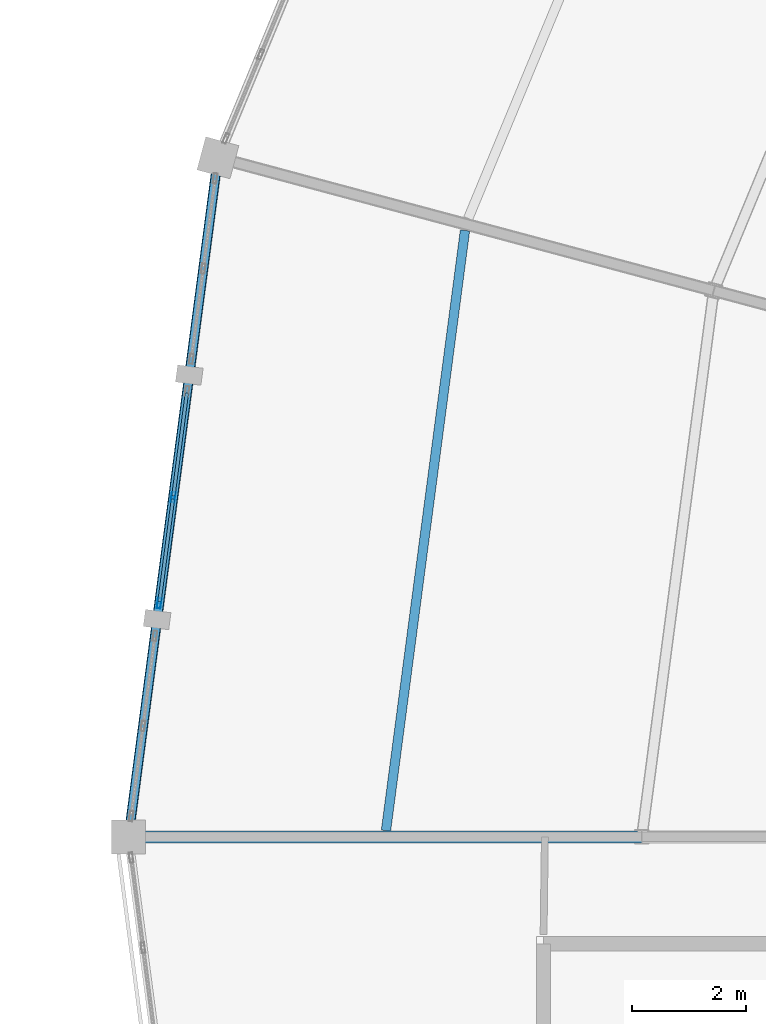
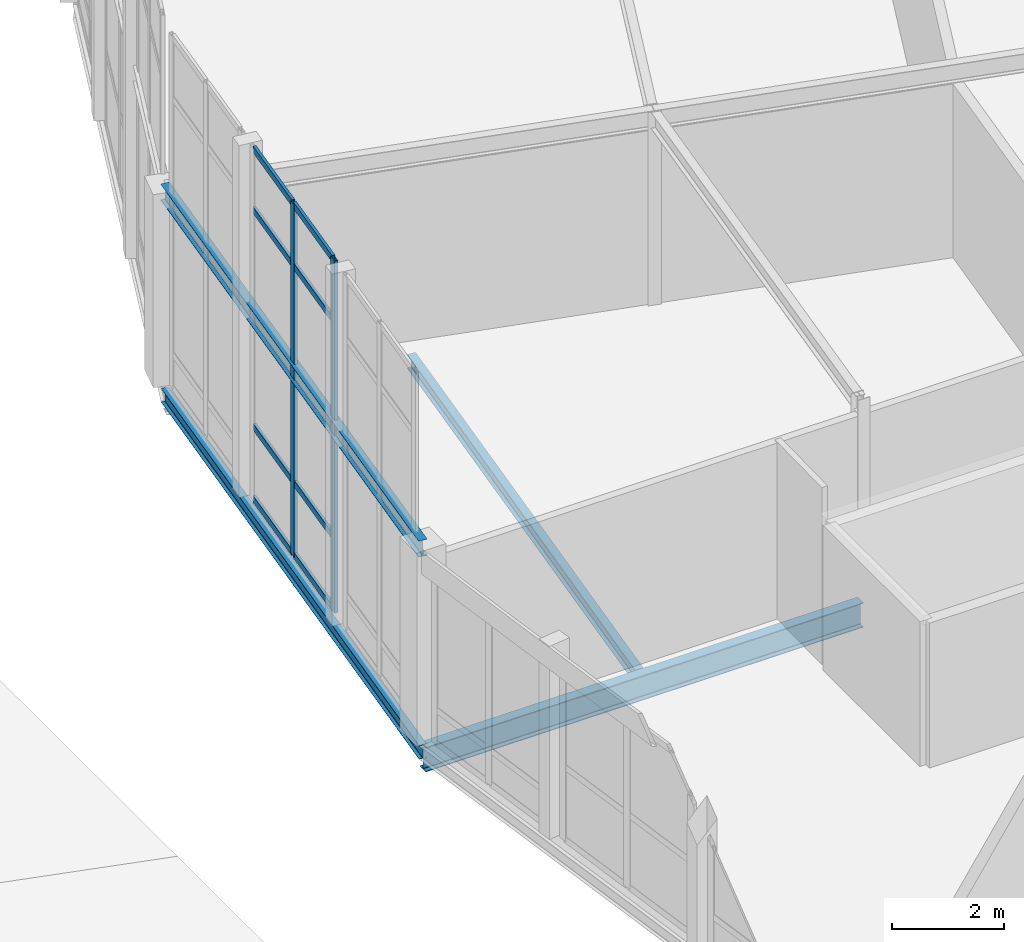
# One storey, part 58 of 200: 10 members, 4 beams, 1 element without a shape of its own.
"""IFC4 building model written with IfcOpenShell, lengths in metres."""

from ifc_helpers import new_model, si_unit, direction, frame, origin, origin_2d, place, context, subcontext, project, spatial, hollow_rectangle, i_section, extrude, material, material_profile, profile_set, type_object, element, aggregate, save


model = new_model("IFC4")

# Units and contexts
model_context = context("Model", 3, precision=1e-05, world=origin(), true_north=direction((0.0, 1.0)))
body_context = subcontext(model_context, "Body", "Model", "MODEL_VIEW")
ifc_project = project(units=[si_unit("LENGTHUNIT", "METRE"), si_unit("AREAUNIT", "SQUARE_METRE"), si_unit("VOLUMEUNIT", "CUBIC_METRE"), si_unit("PLANEANGLEUNIT", "RADIAN"), si_unit("MASSUNIT", "GRAM", prefix="KILO")], contexts=[model_context])

# Site, building, storey
site_placement = place(None, origin())
site = spatial("IfcSite", under=ifc_project, at=site_placement, CompositionType="ELEMENT")
building_placement = place(site_placement, origin())
building = spatial("IfcBuilding", under=site, at=building_placement, Name="Vondelvale Polytechnic", CompositionType="ELEMENT")
storey_placement = place(building_placement, frame((0.0, 0.0, 13.800048828125)))
storey = spatial("IfcBuildingStorey", under=building, at=storey_placement, Name="L03", CompositionType="ELEMENT", Elevation=13.800048828125)

# Beams
ifc_material_1 = material(Name="Steel 300PLUS (fy = 300 MPa)", Category="steel")
ifc_material_profile_1 = material_profile(ifc_material_1, i_section(OverallWidth=0.14892578125, OverallDepth=0.298095703125, WebThickness=0.005615234375, FlangeThickness=0.008056640625, FilletRadius=0.011474609375, at=origin_2d()), Name="310UB32.0")
ifc_profile_set_1 = profile_set([ifc_material_profile_1], Name="Steel 300PLUS (fy = 300 MPa)")
beam_type_1 = type_object("IfcBeamType", Name="BM-UB310L", PredefinedType="BEAM", material=ifc_profile_set_1)
beam_1_placement = place(storey_placement, frame((57.5673828125, 83.90576171875, -0.399169921875), z_axis=(-0.130522880875, -0.991445297315, 0.0), x_axis=(0.991445297315, -0.130522880875, 0.0)))
element("IfcBeam", 1, at=beam_1_placement, inside=storey, type_object=beam_type_1, Name="L03 RB B-25", PredefinedType="BEAM", context=body_context, shape_type="SweptSolid", body=[
    extrude(i_section(OverallWidth=0.14892578125, OverallDepth=0.298095703125, WebThickness=0.005615234375, FlangeThickness=0.008056640625, FilletRadius=0.011474609375, at=origin_2d()), origin(), (0.0, 0.0, 1.0), 12.008544921875),
])
ifc_material_profile_2 = material_profile(ifc_material_1, i_section(OverallWidth=0.1708984375, OverallDepth=0.35205078125, WebThickness=0.0068359375, FlangeThickness=0.009765625, FilletRadius=0.011474609375, at=origin_2d()), Name="360UB44.7")
ifc_profile_set_2 = profile_set([ifc_material_profile_2], Name="Steel 300PLUS (fy = 300 MPa)")
beam_type_2 = type_object("IfcBeamType", Name="BM-UB360L", PredefinedType="BEAM", material=ifc_profile_set_2)
beam_2_placement = place(storey_placement, frame((57.5673828125, 83.90576171875, 4.02392578125), z_axis=(-0.130522880875, -0.991445297315, 0.0), x_axis=(0.991445297315, -0.130522880875, 0.0)))
element("IfcBeam", 2, at=beam_2_placement, inside=storey, type_object=beam_type_2, Name="L03 RE B-24", PredefinedType="BEAM", context=body_context, shape_type="SweptSolid", body=[
    extrude(i_section(OverallWidth=0.1708984375, OverallDepth=0.35205078125, WebThickness=0.0068359375, FlangeThickness=0.009765625, FilletRadius=0.011474609375, at=origin_2d()), origin(), (0.0, 0.0, 1.0), 12.008544921875),
])
ifc_material_profile_3 = material_profile(ifc_material_1, i_section(OverallWidth=0.208984375, OverallDepth=0.532958984375, WebThickness=0.01025390625, FlangeThickness=0.015625, FilletRadius=0.013916015625, at=origin_2d()), Name="530UB92.4")
ifc_profile_set_3 = profile_set([ifc_material_profile_3], Name="Steel 300PLUS (fy = 300 MPa)")
beam_type_3 = type_object("IfcBeamType", Name="BM-UB530", PredefinedType="BEAM", material=ifc_profile_set_3)
beam_3_placement = place(storey_placement, frame((65.0, 72.0, -0.5166015625), z_axis=(-1.0, 0.0, 0.0), x_axis=(0.0, -1.0, 0.0)))
element("IfcBeam", 3, at=beam_3_placement, inside=storey, type_object=beam_type_3, Name="L03 RG B-11", PredefinedType="BEAM", context=body_context, shape_type="SweptSolid", body=[
    extrude(i_section(OverallWidth=0.208984375, OverallDepth=0.532958984375, WebThickness=0.01025390625, FlangeThickness=0.015625, FilletRadius=0.013916015625, at=origin_2d()), origin(), (0.0, 0.0, 1.0), 9.0),
])

# Curtain wall, members
ifc_material_2 = material(Name="Glulam GL18 structural Tasmanian oak (fb = 42 MPa)", Category="wood")
curtain_wall_type = type_object("IfcCurtainWallType", Name="CW-RING-OUTER", PredefinedType="NOTDEFINED", material=ifc_material_2)
curtain_wall_placement = place(storey_placement, origin())
curtain_wall = element("IfcCurtainWall", 4, at=curtain_wall_placement, inside=storey, type_object=curtain_wall_type, Name="L03 architectural curtain wall CW-04-254", PredefinedType="NOTDEFINED")
ifc_material_3 = material(Name="Anodised extruded aluminium 6063-T6", Category="aluminium")
ifc_material_profile_4 = material_profile(ifc_material_3, hollow_rectangle(XDim=0.06494140625, YDim=0.179931640625, WallThickness=0.00390625, at=origin_2d()), Name="CW-MUL-180x65")
ifc_profile_set_4 = profile_set([ifc_material_profile_4], Name="Anodised extruded aluminium 6063-T6")
member_type_1 = type_object("IfcMemberType", Name="CW-MUL-65x180", PredefinedType="MULLION", material=ifc_profile_set_4)
member_1_placement = place(storey_placement, frame((56.78369140625, 77.952880859375, 0.0), z_axis=(0.0, 0.0, 1.0), x_axis=(0.991448671082, -0.130497251349, 0.0)))
member_1 = element("IfcMember", 5, at=member_1_placement, type_object=member_type_1, Name="CW-04-254 mullion 2", PredefinedType="MULLION", context=body_context, shape_type="SweptSolid", body=[
    extrude(hollow_rectangle(XDim=0.06494140625, YDim=0.179931640625, WallThickness=0.00390625, at=origin_2d()), origin(), (0.0, 0.0, 1.0), 7.661376953125),
])
member_2_placement = place(storey_placement, frame((56.5390625, 76.0947265625, 0.0), z_axis=(0.0, 0.0, 1.0), x_axis=(0.991448671082, -0.130497251349, 0.0)))
member_2 = element("IfcMember", 6, at=member_2_placement, type_object=member_type_1, Name="CW-04-254 mullion 3", PredefinedType="MULLION", context=body_context, shape_type="SweptSolid", body=[
    extrude(hollow_rectangle(XDim=0.06494140625, YDim=0.179931640625, WallThickness=0.00390625, at=origin_2d()), origin(), (0.0, 0.0, 1.0), 7.661376953125),
])
ifc_material_profile_5 = material_profile(ifc_material_3, hollow_rectangle(XDim=0.06005859375, YDim=0.139892578125, WallThickness=0.00341796875, at=origin_2d()), Name="CW-TRN-140x60")
ifc_profile_set_5 = profile_set([ifc_material_profile_5], Name="Anodised extruded aluminium 6063-T6")
member_type_2 = type_object("IfcMemberType", Name="CW-TRN-60x140", PredefinedType="USERDEFINED", material=ifc_profile_set_5)
member_3_placement = place(storey_placement, frame((57.02392578125, 79.778564453125, 0.030029296875), z_axis=(-0.130510372288, -0.991446943979, 0.0), x_axis=(0.991446943979, -0.130510372288, 0.0)))
member_3 = element("IfcMember", 7, at=member_3_placement, type_object=member_type_2, Name="CW-04-254 transom 1.1", ObjectType="TRANSOM", PredefinedType="USERDEFINED", context=body_context, shape_type="SweptSolid", body=[
    extrude(hollow_rectangle(XDim=0.06005859375, YDim=0.139892578125, WallThickness=0.00341796875, at=origin_2d()), origin(), (0.0, 0.0, 1.0), 1.808837890625),
])
member_4_placement = place(storey_placement, frame((57.02392578125, 79.778564453125, 1.599853515625), z_axis=(-0.130510372288, -0.991446943979, 0.0), x_axis=(0.991446943979, -0.130510372288, 0.0)))
member_4 = element("IfcMember", 8, at=member_4_placement, type_object=member_type_2, Name="CW-04-254 transom 1.2", ObjectType="TRANSOM", PredefinedType="USERDEFINED", context=body_context, shape_type="SweptSolid", body=[
    extrude(hollow_rectangle(XDim=0.06005859375, YDim=0.139892578125, WallThickness=0.00341796875, at=origin_2d()), origin(), (0.0, 0.0, 1.0), 1.808837890625),
])
member_5_placement = place(storey_placement, frame((57.02392578125, 79.778564453125, 6.311279296875), z_axis=(-0.130510372288, -0.991446943979, 0.0), x_axis=(0.991446943979, -0.130510372288, 0.0)))
member_5 = element("IfcMember", 9, at=member_5_placement, type_object=member_type_2, Name="CW-04-254 transom 1.3", ObjectType="TRANSOM", PredefinedType="USERDEFINED", context=body_context, shape_type="SweptSolid", body=[
    extrude(hollow_rectangle(XDim=0.06005859375, YDim=0.139892578125, WallThickness=0.00341796875, at=origin_2d()), origin(), (0.0, 0.0, 1.0), 1.808837890625),
])
member_6_placement = place(storey_placement, frame((57.02392578125, 79.778564453125, 7.63134765625), z_axis=(-0.130510372288, -0.991446943979, 0.0), x_axis=(0.991446943979, -0.130510372288, 0.0)))
member_6 = element("IfcMember", 10, at=member_6_placement, type_object=member_type_2, Name="CW-04-254 transom 1.4", ObjectType="TRANSOM", PredefinedType="USERDEFINED", context=body_context, shape_type="SweptSolid", body=[
    extrude(hollow_rectangle(XDim=0.06005859375, YDim=0.139892578125, WallThickness=0.00341796875, at=origin_2d()), origin(), (0.0, 0.0, 1.0), 1.808837890625),
])
member_7_placement = place(storey_placement, frame((56.779541015625, 77.920654296875, 0.030029296875), z_axis=(-0.130492911033, -0.991449242357, 0.0), x_axis=(0.991449242357, -0.130492911033, 0.0)))
member_7 = element("IfcMember", 11, at=member_7_placement, type_object=member_type_2, Name="CW-04-254 transom 2.1", ObjectType="TRANSOM", PredefinedType="USERDEFINED", context=body_context, shape_type="SweptSolid", body=[
    extrude(hollow_rectangle(XDim=0.06005859375, YDim=0.139892578125, WallThickness=0.00341796875, at=origin_2d()), origin(), (0.0, 0.0, 1.0), 1.80908203125),
])
member_8_placement = place(storey_placement, frame((56.779541015625, 77.920654296875, 1.599853515625), z_axis=(-0.130492911033, -0.991449242357, 0.0), x_axis=(0.991449242357, -0.130492911033, 0.0)))
member_8 = element("IfcMember", 12, at=member_8_placement, type_object=member_type_2, Name="CW-04-254 transom 2.2", ObjectType="TRANSOM", PredefinedType="USERDEFINED", context=body_context, shape_type="SweptSolid", body=[
    extrude(hollow_rectangle(XDim=0.06005859375, YDim=0.139892578125, WallThickness=0.00341796875, at=origin_2d()), origin(), (0.0, 0.0, 1.0), 1.80908203125),
])
member_9_placement = place(storey_placement, frame((56.779541015625, 77.920654296875, 6.311279296875), z_axis=(-0.130492911033, -0.991449242357, 0.0), x_axis=(0.991449242357, -0.130492911033, 0.0)))
member_9 = element("IfcMember", 13, at=member_9_placement, type_object=member_type_2, Name="CW-04-254 transom 2.3", ObjectType="TRANSOM", PredefinedType="USERDEFINED", context=body_context, shape_type="SweptSolid", body=[
    extrude(hollow_rectangle(XDim=0.06005859375, YDim=0.139892578125, WallThickness=0.00341796875, at=origin_2d()), origin(), (0.0, 0.0, 1.0), 1.80908203125),
])
member_10_placement = place(storey_placement, frame((56.779541015625, 77.920654296875, 7.63134765625), z_axis=(-0.130492911033, -0.991449242357, 0.0), x_axis=(0.991449242357, -0.130492911033, 0.0)))
member_10 = element("IfcMember", 14, at=member_10_placement, type_object=member_type_2, Name="CW-04-254 transom 2.4", ObjectType="TRANSOM", PredefinedType="USERDEFINED", context=body_context, shape_type="SweptSolid", body=[
    extrude(hollow_rectangle(XDim=0.06005859375, YDim=0.139892578125, WallThickness=0.00341796875, at=origin_2d()), origin(), (0.0, 0.0, 1.0), 1.80908203125),
])
aggregate(curtain_wall, [member_1, member_2, member_3, member_4, member_5, member_6, member_7, member_8, member_9, member_10])

# Beam
ifc_material_profile_6 = material_profile(ifc_material_1, i_section(OverallWidth=0.1650390625, OverallDepth=0.303955078125, WebThickness=0.006103515625, FlangeThickness=0.01025390625, FilletRadius=0.011474609375, at=origin_2d()), Name="310UB40.4")
ifc_profile_set_6 = profile_set([ifc_material_profile_6], Name="Steel 300PLUS (fy = 300 MPa)")
beam_type_4 = type_object("IfcBeamType", Name="JST-UB310", PredefinedType="JOIST", material=ifc_profile_set_6)
beam_4_placement = place(storey_placement, frame((61.899658203125, 82.6318359375, -0.402099609375), z_axis=(-0.13051818119, -0.991445916013, 0.0), x_axis=(0.991445916013, -0.13051818119, 0.0)))
element("IfcBeam", 15, at=beam_4_placement, inside=storey, type_object=beam_type_4, Name="L03 RJ J-05", PredefinedType="JOIST", context=body_context, shape_type="SweptSolid", body=[
    extrude(i_section(OverallWidth=0.1650390625, OverallDepth=0.303955078125, WebThickness=0.006103515625, FlangeThickness=0.01025390625, FilletRadius=0.011474609375, at=origin_2d()), origin(), (0.0, 0.0, 1.0), 10.613525390625),
])

save(model, "model.ifc")
